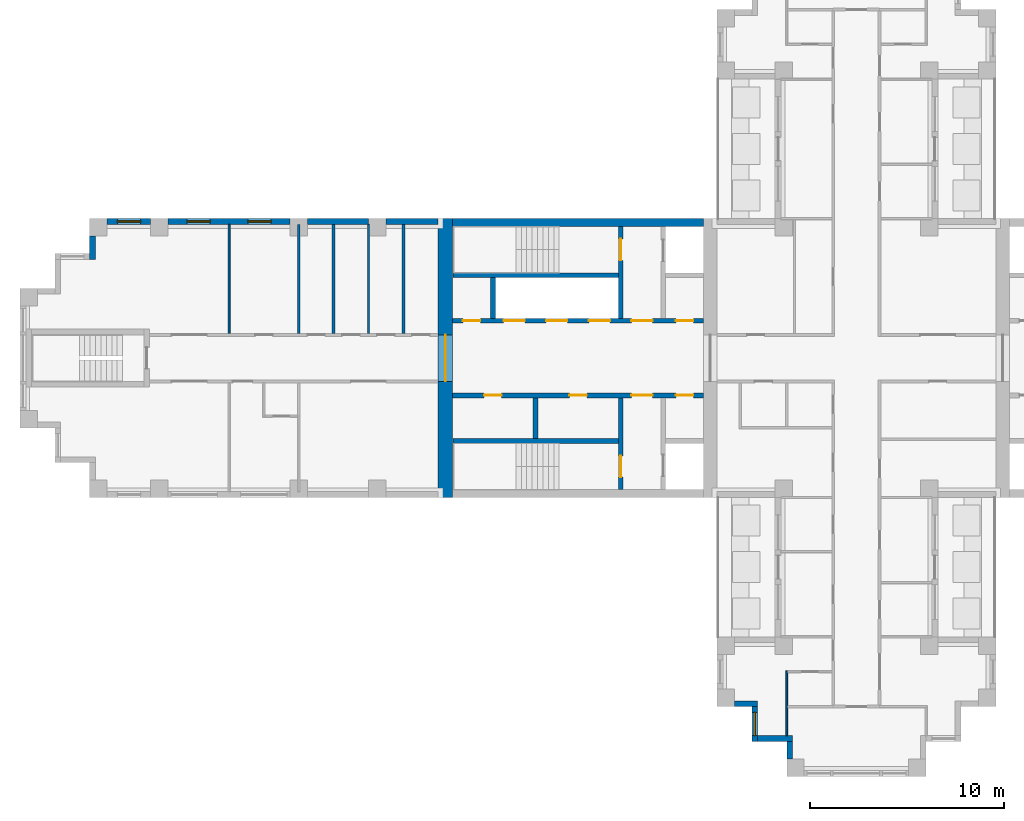
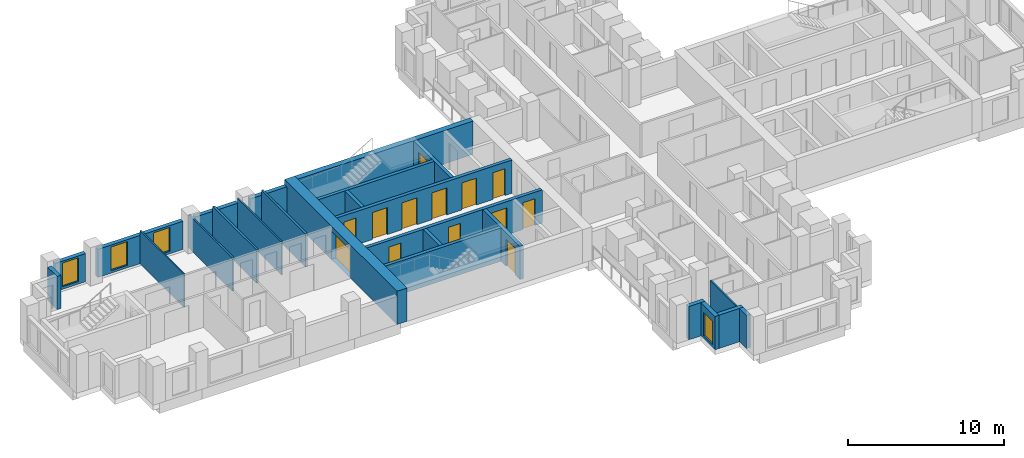
# One storey, part 3 of 11: 25 walls, 13 doors, 4 windows, 17 openings.
"""IFC4 building model written with IfcOpenShell, lengths in metres."""

from ifc_helpers import new_model, si_unit, direction, frame, frame_2d, origin, place, context, subcontext, project, spatial, rectangle, extrude, material, layer, layer_set, type_object, element, fill, save


model = new_model("IFC4")

# Units and contexts
model_context = context("Model", 3, precision=1e-05, world=origin(), true_north=direction((0.0, 1.0)))
body_context = subcontext(model_context, "Body", "Model", "MODEL_VIEW")
ifc_project = project(units=[si_unit("LENGTHUNIT", "METRE"), si_unit("AREAUNIT", "SQUARE_METRE"), si_unit("VOLUMEUNIT", "CUBIC_METRE"), si_unit("PLANEANGLEUNIT", "RADIAN"), si_unit("MASSUNIT", "GRAM", prefix="KILO")], contexts=[model_context])

# Site, building, storey
site_placement = place(None, origin())
site = spatial("IfcSite", under=ifc_project, at=site_placement, CompositionType="ELEMENT")
building_placement = place(site_placement, origin())
building = spatial("IfcBuilding", under=site, at=building_placement, Name="Fustian Cross Tower", CompositionType="ELEMENT")
storey_placement = place(building_placement, frame((0.0, 0.0, 176.699951171875)))
storey = spatial("IfcBuildingStorey", under=building, at=storey_placement, Name="L55", CompositionType="ELEMENT", Elevation=176.699951171875)

# Walls
ifc_material_1 = material(Name="Plasterboard on steel stud", Category="steel")
ifc_layer_1 = layer(ifc_material_1, 0.14990234375)
ifc_layer_set_1 = layer_set([ifc_layer_1], Name="Plasterboard on steel stud")
wall_type_1 = type_object("IfcWallType", Name="COMPARTMENT WALL 150 EI 60", PredefinedType="PARTITIONING", material=ifc_layer_set_1)
for number, where, z_axis, x_axis, name in (
    (1, (-27.0, 1.27490234375, 0.0), (0.0, 0.0, 1.0), (0.0, 1.0, 0.0), "Partition 10"),
    (2, (-23.39990234375, 1.27490234375, 0.0), (0.0, 0.0, 1.0), (0.0, 1.0, 0.0), "Partition 12"),
):
    element("IfcWall", number, at=place(storey_placement, frame(where, z_axis=z_axis, x_axis=x_axis)), inside=storey, type_object=wall_type_1, Name=name, PredefinedType="PARTITIONING", context=body_context, shape_type="SweptSolid", body=[
        extrude(rectangle(XDim=5.625, YDim=0.14990234375, at=frame_2d((2.8125, 0.0))), origin(), (0.0, 0.0, 1.0), 2.60009765625),
    ])

# Wall, opening, door
ifc_material_2 = material(Name="Concrete C50/60", Category="concrete")
ifc_layer_2 = layer(ifc_material_2, 0.75)
ifc_layer_set_2 = layer_set([ifc_layer_2], Name="Concrete C50/60")
wall_type_2 = type_object("IfcWallType", Name="CORE END WALL 750 C50/60", PredefinedType="SHEAR", material=ifc_layer_set_2)
wall_1_placement = place(storey_placement, frame((-21.22509765625, -7.199951171875, 0.0), z_axis=(0.0, 0.0, 1.0), x_axis=(0.0, 1.0, 0.0)))
wall_1 = element("IfcWall", 3, at=wall_1_placement, inside=storey, type_object=wall_type_2, Name="Core end wall", PredefinedType="SHEAR", context=body_context, shape_type="SweptSolid", body=[
    extrude(rectangle(XDim=14.39990234375, YDim=0.75, at=frame_2d((7.199951171875, 0.0))), origin(), (0.0, 0.0, 1.0), 2.60009765625),
])
opening_1_placement = place(wall_1_placement, frame((6.0, 0.0, 0.0)))
opening_1 = element("IfcOpeningElement", 4, at=opening_1_placement, cuts=wall_1, Name="Opening CD-22-29", PredefinedType="OPENING", context=body_context, shape_type="SweptSolid", body=[
    extrude(rectangle(XDim=2.39990234375, YDim=2.199951171875, at=frame_2d((1.199951171875, 1.10009765625))), frame((0.0, 0.385009765625, 0.0), z_axis=(0.0, -1.0, 0.0), x_axis=(1.0, 0.0, 0.0)), (0.0, 0.0, 1.0), 0.77001953125),
])
ifc_material_3 = material(Name="Steel", Category="steel")
door_type_1 = type_object("IfcDoorType", Name="FIRE DOOR FD30S DOUBLE 2400X2200", OperationType="DOUBLE_DOOR_DOUBLE_SWING", PredefinedType="DOOR", material=ifc_material_3)
door_1_placement = place(opening_1_placement, frame((2.39990234375, 0.0, 0.0), z_axis=(0.0, 0.0, 1.0), x_axis=(-1.0, 0.0, 0.0)))
door_1 = element("IfcDoor", 5, at=door_1_placement, inside=storey, type_object=door_type_1, Name="Core door CD-22-29", OperationType="DOUBLE_DOOR_DOUBLE_SWING", OverallHeight=2.199951171875, OverallWidth=2.39990234375, PredefinedType="DOOR", context=body_context, shape_type="SweptSolid", body=[
    extrude(rectangle(XDim=2.39990234375, YDim=2.199951171875, at=frame_2d((1.199951171875, 1.10009765625))), frame((0.0, 0.02490234375, 0.0), z_axis=(0.0, -1.0, 0.0), x_axis=(1.0, 0.0, 0.0)), (0.0, 0.0, 1.0), 0.050048828125),
])
fill(opening_1, door_1)

# Wall
ifc_material_4 = material(Name="Concrete C50/60", Category="concrete")
ifc_layer_3 = layer(ifc_material_4, 0.39990234375)
ifc_layer_set_3 = layer_set([ifc_layer_3], Name="Concrete C50/60")
wall_type_3 = type_object("IfcWallType", Name="CORE FACADE WALL 400 C50/60", PredefinedType="SHEAR", material=ifc_layer_set_3)
wall_2_placement = place(storey_placement, frame((-7.89990234375, 7.0, 0.0), z_axis=(0.0, 0.0, 1.0), x_axis=(-1.0, 0.0, 0.0)))
element("IfcWall", 6, at=wall_2_placement, inside=storey, type_object=wall_type_3, Name="Core facade wall", PredefinedType="SHEAR", context=body_context, shape_type="SweptSolid", body=[
    extrude(rectangle(XDim=12.9501953125, YDim=0.39990234375, at=frame_2d((6.47509765625, 0.0))), origin(), (0.0, 0.0, 1.0), 2.60009765625),
])

# Wall, openings, doors
ifc_material_5 = material(Name="Concrete C50/60", Category="concrete")
ifc_layer_4 = layer(ifc_material_5, 0.25)
ifc_layer_set_4 = layer_set([ifc_layer_4], Name="Concrete C50/60")
wall_type_4 = type_object("IfcWallType", Name="CORE LOBBY WALL 250 C50/60", PredefinedType="SHEAR", material=ifc_layer_set_4)
wall_3_placement = place(storey_placement, frame((-7.89990234375, 1.925048828125, 0.0), z_axis=(0.0, 0.0, 1.0), x_axis=(-1.0, 0.0, 0.0)))
wall_3 = element("IfcWall", 7, at=wall_3_placement, inside=storey, type_object=wall_type_4, Name="Core lobby wall", PredefinedType="SHEAR", context=body_context, shape_type="SweptSolid", body=[
    extrude(rectangle(XDim=12.9501953125, YDim=0.25, at=frame_2d((6.47509765625, 0.0))), origin(), (0.0, 0.0, 1.0), 2.60009765625),
])
opening_2_placement = place(wall_3_placement, frame((4.824951171875, 0.0, 0.0)))
opening_2 = element("IfcOpeningElement", 8, at=opening_2_placement, cuts=wall_3, Name="Opening LD", PredefinedType="OPENING", context=body_context, shape_type="SweptSolid", body=[
    extrude(rectangle(XDim=1.10009765625, YDim=2.10009765625, at=frame_2d((0.550048828125, 1.050048828125))), frame((0.0, 0.135009765625, 0.0), z_axis=(0.0, -1.0, 0.0), x_axis=(1.0, 0.0, 0.0)), (0.0, 0.0, 1.0), 0.27001953125),
])
opening_3_placement = place(wall_3_placement, frame((7.02490234375, 0.0, 0.0)))
opening_3 = element("IfcOpeningElement", 9, at=opening_3_placement, cuts=wall_3, Name="Opening LD", PredefinedType="OPENING", context=body_context, shape_type="SweptSolid", body=[
    extrude(rectangle(XDim=1.10009765625, YDim=2.10009765625, at=frame_2d((0.550048828125, 1.050048828125))), frame((0.0, 0.135009765625, 0.0), z_axis=(0.0, -1.0, 0.0), x_axis=(1.0, 0.0, 0.0)), (0.0, 0.0, 1.0), 0.27001953125),
])
opening_4_placement = place(wall_3_placement, frame((9.22509765625, 0.0, 0.0)))
opening_4 = element("IfcOpeningElement", 10, at=opening_4_placement, cuts=wall_3, Name="Opening LD", PredefinedType="OPENING", context=body_context, shape_type="SweptSolid", body=[
    extrude(rectangle(XDim=1.10009765625, YDim=2.10009765625, at=frame_2d((0.550048828125, 1.050048828125))), frame((0.0, 0.135009765625, 0.0), z_axis=(0.0, -1.0, 0.0), x_axis=(1.0, 0.0, 0.0)), (0.0, 0.0, 1.0), 0.27001953125),
])
opening_5_placement = place(wall_3_placement, frame((0.52490234375, 0.0, 0.0)))
opening_5 = element("IfcOpeningElement", 11, at=opening_5_placement, cuts=wall_3, Name="Opening CD-22-24", PredefinedType="OPENING", context=body_context, shape_type="SweptSolid", body=[
    extrude(rectangle(XDim=0.89990234375, YDim=2.10009765625, at=frame_2d((0.449951171875, 1.050048828125))), frame((0.0, 0.135009765625, 0.0), z_axis=(0.0, -1.0, 0.0), x_axis=(1.0, 0.0, 0.0)), (0.0, 0.0, 1.0), 0.27001953125),
])
opening_6_placement = place(wall_3_placement, frame((2.625, 0.0, 0.0)))
opening_6 = element("IfcOpeningElement", 12, at=opening_6_placement, cuts=wall_3, Name="Opening CD-22-26", PredefinedType="OPENING", context=body_context, shape_type="SweptSolid", body=[
    extrude(rectangle(XDim=1.10009765625, YDim=2.10009765625, at=frame_2d((0.550048828125, 1.050048828125))), frame((0.0, 0.135009765625, 0.0), z_axis=(0.0, -1.0, 0.0), x_axis=(1.0, 0.0, 0.0)), (0.0, 0.0, 1.0), 0.27001953125),
])
opening_7_placement = place(wall_3_placement, frame((11.52490234375, 0.0, 0.0)))
opening_7 = element("IfcOpeningElement", 13, at=opening_7_placement, cuts=wall_3, Name="Opening CD-22-30", PredefinedType="OPENING", context=body_context, shape_type="SweptSolid", body=[
    extrude(rectangle(XDim=0.89990234375, YDim=2.10009765625, at=frame_2d((0.449951171875, 1.050048828125))), frame((0.0, 0.135009765625, 0.0), z_axis=(0.0, -1.0, 0.0), x_axis=(1.0, 0.0, 0.0)), (0.0, 0.0, 1.0), 0.27001953125),
])
ifc_material_6 = material(Name="Steel", Category="steel")
door_type_2 = type_object("IfcDoorType", Name="FIRE DOOR FD30S 900X2100", OperationType="SINGLE_SWING_LEFT", PredefinedType="DOOR", material=ifc_material_6)
door_2_placement = place(opening_7_placement, frame((0.89990234375, 0.0, 0.0), z_axis=(0.0, 0.0, 1.0), x_axis=(-1.0, 0.0, 0.0)))
door_2 = element("IfcDoor", 14, at=door_2_placement, inside=storey, type_object=door_type_2, Name="Core door CD-22-30", OperationType="SINGLE_SWING_RIGHT", OverallHeight=2.10009765625, OverallWidth=0.89990234375, PredefinedType="DOOR", context=body_context, shape_type="SweptSolid", body=[
    extrude(rectangle(XDim=0.89990234375, YDim=2.10009765625, at=frame_2d((0.449951171875, 1.050048828125))), frame((0.0, 0.02490234375, 0.0), z_axis=(0.0, -1.0, 0.0), x_axis=(1.0, 0.0, 0.0)), (0.0, 0.0, 1.0), 0.050048828125),
])
fill(opening_7, door_2)
ifc_material_7 = material(Name="Steel", Category="steel")
door_type_3 = type_object("IfcDoorType", Name="FIRE DOOR FD60S 1100X2100", OperationType="SINGLE_SWING_LEFT", PredefinedType="DOOR", material=ifc_material_7)
door_3_placement = place(opening_6_placement, frame((1.10009765625, 0.0, 0.0), z_axis=(0.0, 0.0, 1.0), x_axis=(-1.0, 0.0, 0.0)))
door_3 = element("IfcDoor", 15, at=door_3_placement, inside=storey, type_object=door_type_3, Name="Core door CD-22-26", OperationType="SINGLE_SWING_RIGHT", OverallHeight=2.10009765625, OverallWidth=1.10009765625, PredefinedType="DOOR", context=body_context, shape_type="SweptSolid", body=[
    extrude(rectangle(XDim=1.10009765625, YDim=2.10009765625, at=frame_2d((0.550048828125, 1.050048828125))), frame((0.0, 0.02490234375, 0.0), z_axis=(0.0, -1.0, 0.0), x_axis=(1.0, 0.0, 0.0)), (0.0, 0.0, 1.0), 0.050048828125),
])
fill(opening_6, door_3)
ifc_material_8 = material(Name="Steel", Category="steel")
door_type_4 = type_object("IfcDoorType", Name="FIRE DOOR FD60S 900X2100", OperationType="SINGLE_SWING_LEFT", PredefinedType="DOOR", material=ifc_material_8)
door_4_placement = place(opening_5_placement, frame((0.89990234375, 0.0, 0.0), z_axis=(0.0, 0.0, 1.0), x_axis=(-1.0, 0.0, 0.0)))
door_4 = element("IfcDoor", 16, at=door_4_placement, inside=storey, type_object=door_type_4, Name="Core door CD-22-24", OperationType="SINGLE_SWING_RIGHT", OverallHeight=2.10009765625, OverallWidth=0.89990234375, PredefinedType="DOOR", context=body_context, shape_type="SweptSolid", body=[
    extrude(rectangle(XDim=0.89990234375, YDim=2.10009765625, at=frame_2d((0.449951171875, 1.050048828125))), frame((0.0, 0.02490234375, 0.0), z_axis=(0.0, -1.0, 0.0), x_axis=(1.0, 0.0, 0.0)), (0.0, 0.0, 1.0), 0.050048828125),
])
fill(opening_5, door_4)
ifc_material_9 = material(Name="Stainless steel", Category="steel")
door_type_5 = type_object("IfcDoorType", Name="LIFT LANDING DOOR 1100X2100", OperationType="SLIDING_TO_LEFT", PredefinedType="DOOR", material=ifc_material_9)
door_5_placement = place(opening_2_placement, origin())
door_5 = element("IfcDoor", 17, at=door_5_placement, inside=storey, type_object=door_type_5, Name="Landing door HR1W", OperationType="SLIDING_TO_LEFT", OverallHeight=2.10009765625, OverallWidth=1.10009765625, PredefinedType="DOOR", context=body_context, shape_type="SweptSolid", body=[
    extrude(rectangle(XDim=1.10009765625, YDim=2.10009765625, at=frame_2d((0.550048828125, 1.050048828125))), frame((0.0, 0.02490234375, 0.0), z_axis=(0.0, -1.0, 0.0), x_axis=(1.0, 0.0, 0.0)), (0.0, 0.0, 1.0), 0.050048828125),
])
fill(opening_2, door_5)
door_6_placement = place(opening_3_placement, origin())
door_6 = element("IfcDoor", 18, at=door_6_placement, inside=storey, type_object=door_type_5, Name="Landing door HR2W", OperationType="SLIDING_TO_LEFT", OverallHeight=2.10009765625, OverallWidth=1.10009765625, PredefinedType="DOOR", context=body_context, shape_type="SweptSolid", body=[
    extrude(rectangle(XDim=1.10009765625, YDim=2.10009765625, at=frame_2d((0.550048828125, 1.050048828125))), frame((0.0, 0.02490234375, 0.0), z_axis=(0.0, -1.0, 0.0), x_axis=(1.0, 0.0, 0.0)), (0.0, 0.0, 1.0), 0.050048828125),
])
fill(opening_3, door_6)
door_7_placement = place(opening_4_placement, origin())
door_7 = element("IfcDoor", 19, at=door_7_placement, inside=storey, type_object=door_type_5, Name="Landing door HR3W", OperationType="SLIDING_TO_LEFT", OverallHeight=2.10009765625, OverallWidth=1.10009765625, PredefinedType="DOOR", context=body_context, shape_type="SweptSolid", body=[
    extrude(rectangle(XDim=1.10009765625, YDim=2.10009765625, at=frame_2d((0.550048828125, 1.050048828125))), frame((0.0, 0.02490234375, 0.0), z_axis=(0.0, -1.0, 0.0), x_axis=(1.0, 0.0, 0.0)), (0.0, 0.0, 1.0), 0.050048828125),
])
fill(opening_4, door_7)

wall_4_placement = place(storey_placement, frame((-7.89990234375, -1.925048828125, 0.0), z_axis=(0.0, 0.0, 1.0), x_axis=(-1.0, 0.0, 0.0)))
wall_4 = element("IfcWall", 20, at=wall_4_placement, inside=storey, type_object=wall_type_4, Name="Core lobby wall", PredefinedType="SHEAR", context=body_context, shape_type="SweptSolid", body=[
    extrude(rectangle(XDim=12.9501953125, YDim=0.25, at=frame_2d((6.47509765625, 0.0))), origin(), (0.0, 0.0, 1.0), 2.60009765625),
])
opening_8_placement = place(wall_4_placement, frame((0.52490234375, 0.0, 0.0)))
opening_8 = element("IfcOpeningElement", 21, at=opening_8_placement, cuts=wall_4, Name="Opening CD-22-25", PredefinedType="OPENING", context=body_context, shape_type="SweptSolid", body=[
    extrude(rectangle(XDim=0.89990234375, YDim=2.10009765625, at=frame_2d((0.449951171875, 1.050048828125))), frame((0.0, 0.135009765625, 0.0), z_axis=(0.0, -1.0, 0.0), x_axis=(1.0, 0.0, 0.0)), (0.0, 0.0, 1.0), 0.27001953125),
])
opening_9_placement = place(wall_4_placement, frame((2.625, 0.0, 0.0)))
opening_9 = element("IfcOpeningElement", 22, at=opening_9_placement, cuts=wall_4, Name="Opening CD-22-27", PredefinedType="OPENING", context=body_context, shape_type="SweptSolid", body=[
    extrude(rectangle(XDim=1.10009765625, YDim=2.10009765625, at=frame_2d((0.550048828125, 1.050048828125))), frame((0.0, 0.135009765625, 0.0), z_axis=(0.0, -1.0, 0.0), x_axis=(1.0, 0.0, 0.0)), (0.0, 0.0, 1.0), 0.27001953125),
])
opening_10_placement = place(wall_4_placement, frame((6.02490234375, 0.0, 0.0)))
opening_10 = element("IfcOpeningElement", 23, at=opening_10_placement, cuts=wall_4, Name="Opening CD-22-31", PredefinedType="OPENING", context=body_context, shape_type="SweptSolid", body=[
    extrude(rectangle(XDim=0.89990234375, YDim=2.10009765625, at=frame_2d((0.449951171875, 1.050048828125))), frame((0.0, 0.135009765625, 0.0), z_axis=(0.0, -1.0, 0.0), x_axis=(1.0, 0.0, 0.0)), (0.0, 0.0, 1.0), 0.27001953125),
])
opening_11_placement = place(wall_4_placement, frame((10.425048828125, 0.0, 0.0)))
opening_11 = element("IfcOpeningElement", 24, at=opening_11_placement, cuts=wall_4, Name="Opening CD-22-32", PredefinedType="OPENING", context=body_context, shape_type="SweptSolid", body=[
    extrude(rectangle(XDim=0.89990234375, YDim=2.10009765625, at=frame_2d((0.449951171875, 1.050048828125))), frame((0.0, 0.135009765625, 0.0), z_axis=(0.0, -1.0, 0.0), x_axis=(1.0, 0.0, 0.0)), (0.0, 0.0, 1.0), 0.27001953125),
])
ifc_material_10 = material(Name="Steel", Category="steel")
door_type_6 = type_object("IfcDoorType", Name="FIRE DOOR FD30S 1100X2100", OperationType="SINGLE_SWING_LEFT", PredefinedType="DOOR", material=ifc_material_10)
door_8_placement = place(opening_9_placement, frame((1.10009765625, 0.0, 0.0), z_axis=(0.0, 0.0, 1.0), x_axis=(-1.0, 0.0, 0.0)))
door_8 = element("IfcDoor", 25, at=door_8_placement, inside=storey, type_object=door_type_6, Name="Core door CD-22-27", OperationType="SINGLE_SWING_RIGHT", OverallHeight=2.10009765625, OverallWidth=1.10009765625, PredefinedType="DOOR", context=body_context, shape_type="SweptSolid", body=[
    extrude(rectangle(XDim=1.10009765625, YDim=2.10009765625, at=frame_2d((0.550048828125, 1.050048828125))), frame((0.0, 0.02490234375, 0.0), z_axis=(0.0, -1.0, 0.0), x_axis=(1.0, 0.0, 0.0)), (0.0, 0.0, 1.0), 0.050048828125),
])
fill(opening_9, door_8)
door_9_placement = place(opening_8_placement, origin())
door_9 = element("IfcDoor", 26, at=door_9_placement, inside=storey, type_object=door_type_2, Name="Core door CD-22-25", OperationType="SINGLE_SWING_LEFT", OverallHeight=2.10009765625, OverallWidth=0.89990234375, PredefinedType="DOOR", context=body_context, shape_type="SweptSolid", body=[
    extrude(rectangle(XDim=0.89990234375, YDim=2.10009765625, at=frame_2d((0.449951171875, 1.050048828125))), frame((0.0, 0.02490234375, 0.0), z_axis=(0.0, -1.0, 0.0), x_axis=(1.0, 0.0, 0.0)), (0.0, 0.0, 1.0), 0.050048828125),
])
fill(opening_8, door_9)
door_10_placement = place(opening_10_placement, origin())
door_10 = element("IfcDoor", 27, at=door_10_placement, inside=storey, type_object=door_type_2, Name="Core door CD-22-31", OperationType="SINGLE_SWING_RIGHT", OverallHeight=2.10009765625, OverallWidth=0.89990234375, PredefinedType="DOOR", context=body_context, shape_type="SweptSolid", body=[
    extrude(rectangle(XDim=0.89990234375, YDim=2.10009765625, at=frame_2d((0.449951171875, 1.050048828125))), frame((0.0, 0.02490234375, 0.0), z_axis=(0.0, -1.0, 0.0), x_axis=(1.0, 0.0, 0.0)), (0.0, 0.0, 1.0), 0.050048828125),
])
fill(opening_10, door_10)
door_11_placement = place(opening_11_placement, origin())
door_11 = element("IfcDoor", 28, at=door_11_placement, inside=storey, type_object=door_type_2, Name="Core door CD-22-32", OperationType="SINGLE_SWING_RIGHT", OverallHeight=2.10009765625, OverallWidth=0.89990234375, PredefinedType="DOOR", context=body_context, shape_type="SweptSolid", body=[
    extrude(rectangle(XDim=0.89990234375, YDim=2.10009765625, at=frame_2d((0.449951171875, 1.050048828125))), frame((0.0, 0.02490234375, 0.0), z_axis=(0.0, -1.0, 0.0), x_axis=(1.0, 0.0, 0.0)), (0.0, 0.0, 1.0), 0.050048828125),
])
fill(opening_11, door_11)

# Wall
ifc_material_11 = material(Name="Concrete C50/60", Category="concrete")
ifc_layer_5 = layer(ifc_material_11, 0.25)
ifc_layer_set_5 = layer_set([ifc_layer_5], Name="Concrete C50/60")
wall_type_5 = type_object("IfcWallType", Name="CORE SHAFT WALL 250 C50/60", PredefinedType="SHEAR", material=ifc_layer_set_5)
wall_5_placement = place(storey_placement, frame((-12.300048828125, 4.27490234375, 0.0), z_axis=(0.0, 0.0, 1.0), x_axis=(-1.0, 0.0, 0.0)))
element("IfcWall", 29, at=wall_5_placement, inside=storey, type_object=wall_type_5, Name="Core shaft wall", PredefinedType="SHEAR", context=body_context, shape_type="SweptSolid", body=[
    extrude(rectangle(XDim=8.550048828125, YDim=0.25, at=frame_2d((4.27490234375, 0.0))), origin(), (0.0, 0.0, 1.0), 2.60009765625),
])

# Wall, opening, door
wall_6_placement = place(storey_placement, frame((-12.175048828125, 2.050048828125, 0.0), z_axis=(0.0, 0.0, 1.0), x_axis=(0.0, 1.0, 0.0)))
wall_6 = element("IfcWall", 30, at=wall_6_placement, inside=storey, type_object=wall_type_5, Name="Core shaft wall", PredefinedType="SHEAR", context=body_context, shape_type="SweptSolid", body=[
    extrude(rectangle(XDim=4.75, YDim=0.25, at=frame_2d((2.375, 0.0))), origin(), (0.0, 0.0, 1.0), 2.60009765625),
])
opening_12_placement = place(wall_6_placement, frame((3.0, 0.0, 0.0)))
opening_12 = element("IfcOpeningElement", 31, at=opening_12_placement, cuts=wall_6, Name="Opening CD-22-22", PredefinedType="OPENING", context=body_context, shape_type="SweptSolid", body=[
    extrude(rectangle(XDim=1.10009765625, YDim=2.10009765625, at=frame_2d((0.550048828125, 1.050048828125))), frame((0.0, 0.135009765625, 0.0), z_axis=(0.0, -1.0, 0.0), x_axis=(1.0, 0.0, 0.0)), (0.0, 0.0, 1.0), 0.27001953125),
])
door_12_placement = place(opening_12_placement, origin())
door_12 = element("IfcDoor", 32, at=door_12_placement, inside=storey, type_object=door_type_3, Name="Core door CD-22-22", OperationType="SINGLE_SWING_LEFT", OverallHeight=2.10009765625, OverallWidth=1.10009765625, PredefinedType="DOOR", context=body_context, shape_type="SweptSolid", body=[
    extrude(rectangle(XDim=1.10009765625, YDim=2.10009765625, at=frame_2d((0.550048828125, 1.050048828125))), frame((0.0, 0.02490234375, 0.0), z_axis=(0.0, -1.0, 0.0), x_axis=(1.0, 0.0, 0.0)), (0.0, 0.0, 1.0), 0.050048828125),
])
fill(opening_12, door_12)

# Wall
wall_7_placement = place(storey_placement, frame((-12.300048828125, -4.27490234375, 0.0), z_axis=(0.0, 0.0, 1.0), x_axis=(-1.0, 0.0, 0.0)))
element("IfcWall", 33, at=wall_7_placement, inside=storey, type_object=wall_type_5, Name="Core shaft wall", PredefinedType="SHEAR", context=body_context, shape_type="SweptSolid", body=[
    extrude(rectangle(XDim=8.550048828125, YDim=0.25, at=frame_2d((4.27490234375, 0.0))), origin(), (0.0, 0.0, 1.0), 2.60009765625),
])

# Wall, opening, door
wall_8_placement = place(storey_placement, frame((-12.175048828125, -2.050048828125, 0.0), z_axis=(0.0, 0.0, 1.0), x_axis=(0.0, -1.0, 0.0)))
wall_8 = element("IfcWall", 34, at=wall_8_placement, inside=storey, type_object=wall_type_5, Name="Core shaft wall", PredefinedType="SHEAR", context=body_context, shape_type="SweptSolid", body=[
    extrude(rectangle(XDim=4.75, YDim=0.25, at=frame_2d((2.375, 0.0))), origin(), (0.0, 0.0, 1.0), 2.60009765625),
])
opening_13_placement = place(wall_8_placement, frame((3.0, 0.0, 0.0)))
opening_13 = element("IfcOpeningElement", 35, at=opening_13_placement, cuts=wall_8, Name="Opening CD-22-23", PredefinedType="OPENING", context=body_context, shape_type="SweptSolid", body=[
    extrude(rectangle(XDim=1.10009765625, YDim=2.10009765625, at=frame_2d((0.550048828125, 1.050048828125))), frame((0.0, 0.135009765625, 0.0), z_axis=(0.0, -1.0, 0.0), x_axis=(1.0, 0.0, 0.0)), (0.0, 0.0, 1.0), 0.27001953125),
])
door_13_placement = place(opening_13_placement, frame((1.10009765625, 0.0, 0.0), z_axis=(0.0, 0.0, 1.0), x_axis=(-1.0, 0.0, 0.0)))
door_13 = element("IfcDoor", 36, at=door_13_placement, inside=storey, type_object=door_type_3, Name="Core door CD-22-23", OperationType="SINGLE_SWING_RIGHT", OverallHeight=2.10009765625, OverallWidth=1.10009765625, PredefinedType="DOOR", context=body_context, shape_type="SweptSolid", body=[
    extrude(rectangle(XDim=1.10009765625, YDim=2.10009765625, at=frame_2d((0.550048828125, 1.050048828125))), frame((0.0, 0.02490234375, 0.0), z_axis=(0.0, -1.0, 0.0), x_axis=(1.0, 0.0, 0.0)), (0.0, 0.0, 1.0), 0.050048828125),
])
fill(opening_13, door_13)

# Walls
ifc_material_12 = material(Name="Plasterboard on steel stud", Category="steel")
ifc_layer_6 = layer(ifc_material_12, 0.10009765625)
ifc_layer_set_6 = layer_set([ifc_layer_6], Name="Plasterboard on steel stud")
wall_type_6 = type_object("IfcWallType", Name="PARTITION 100 STUD", PredefinedType="PARTITIONING", material=ifc_layer_set_6)
for number, where, z_axis, x_axis, name in (
    (37, (-32.39990234375, 1.27490234375, 0.0), (0.0, 0.0, 1.0), (0.0, 1.0, 0.0), "Partition 4"),
    (38, (-25.199951171875, 1.27490234375, 0.0), (0.0, 0.0, 1.0), (0.0, 1.0, 0.0), "Partition 11"),
):
    element("IfcWall", number, at=place(storey_placement, frame(where, z_axis=z_axis, x_axis=x_axis)), inside=storey, type_object=wall_type_6, Name=name, PredefinedType="PARTITIONING", context=body_context, shape_type="SweptSolid", body=[
        extrude(rectangle(XDim=5.625, YDim=0.10009765625, at=frame_2d((2.8125, 0.0))), origin(), (0.0, 0.0, 1.0), 2.60009765625),
    ])
wall_9_placement = place(storey_placement, frame((-3.60009765625, -19.5, 0.0), z_axis=(0.0, 0.0, 1.0), x_axis=(0.0, 1.0, 0.0)))
element("IfcWall", 39, at=wall_9_placement, inside=storey, type_object=wall_type_6, Name="Partition 22", PredefinedType="PARTITIONING", context=body_context, shape_type="SweptSolid", body=[
    extrude(rectangle(XDim=3.35009765625, YDim=0.10009765625, at=frame_2d((1.675048828125, 0.0))), origin(), (0.0, 0.0, 1.0), 2.60009765625),
])
ifc_material_13 = material(Name="Concrete C40/50", Category="concrete")
ifc_layer_7 = layer(ifc_material_13, 0.25)
ifc_layer_set_7 = layer_set([ifc_layer_7], Name="Concrete C40/50")
wall_type_7 = type_object("IfcWallType", Name="SHAFT PARTITION WALL 250 C40/50", PredefinedType="PARTITIONING", material=ifc_layer_set_7)
for number, where, z_axis, x_axis, name in (
    (40, (-18.77490234375, 2.050048828125, 0.0), (0.0, 0.0, 1.0), (0.0, 1.0, 0.0), "Core shaft wall"),
    (41, (-16.574951171875, -2.050048828125, 0.0), (0.0, 0.0, 1.0), (0.0, -1.0, 0.0), "Core shaft wall"),
):
    element("IfcWall", number, at=place(storey_placement, frame(where, z_axis=z_axis, x_axis=x_axis)), inside=storey, type_object=wall_type_7, Name=name, PredefinedType="PARTITIONING", context=body_context, shape_type="SweptSolid", body=[
        extrude(rectangle(XDim=2.099853515625, YDim=0.25, at=frame_2d((1.0498046875, 0.0))), origin(), (0.0, 0.0, 1.0), 2.60009765625),
    ])
ifc_material_14 = material(Name="Plasterboard on steel stud", Category="steel")
ifc_layer_8 = layer(ifc_material_14, 0.125)
ifc_layer_set_8 = layer_set([ifc_layer_8], Name="Plasterboard on steel stud")
wall_type_8 = type_object("IfcWallType", Name="WET WALL 125 STUD", PredefinedType="PARTITIONING", material=ifc_layer_set_8)
wall_10_placement = place(storey_placement, frame((-28.800048828125, 1.27490234375, 0.0), z_axis=(0.0, 0.0, 1.0), x_axis=(0.0, 1.0, 0.0)))
element("IfcWall", 42, at=wall_10_placement, inside=storey, type_object=wall_type_8, Name="Partition 9", PredefinedType="PARTITIONING", context=body_context, shape_type="SweptSolid", body=[
    extrude(rectangle(XDim=5.625, YDim=0.125, at=frame_2d((2.8125, 0.0))), origin(), (0.0, 0.0, 1.0), 2.60009765625),
])
ifc_material_15 = material(Name="Dark aluminium cladding on insulated backing wall", Category="aluminium")
ifc_layer_9 = layer(ifc_material_15, 0.300048828125)
ifc_layer_set_9 = layer_set([ifc_layer_9], Name="Dark aluminium cladding on insulated backing wall")
wall_type_9 = type_object("IfcWallType", Name="XW1 EXTERNAL WALL 300", PredefinedType="SOLIDWALL", material=ifc_layer_set_9)
wall_11_placement = place(storey_placement, frame((-21.60009765625, 7.050048828125, 0.0), z_axis=(0.0, 0.0, 1.0), x_axis=(-1.0, 0.0, 0.0)))
element("IfcWall", 43, at=wall_11_placement, inside=storey, type_object=wall_type_9, Name="External wall", PredefinedType="SOLIDWALL", context=body_context, shape_type="SweptSolid", body=[
    extrude(rectangle(XDim=2.699951171875, YDim=0.300048828125, at=frame_2d((1.35009765625, 0.0))), origin(), (0.0, 0.0, 1.0), 2.199951171875),
])
wall_12_placement = place(storey_placement, frame((-25.199951171875, 7.050048828125, 0.0), z_axis=(0.0, 0.0, 1.0), x_axis=(-1.0, 0.0, 0.0)))
element("IfcWall", 44, at=wall_12_placement, inside=storey, type_object=wall_type_9, Name="External wall", PredefinedType="SOLIDWALL", context=body_context, shape_type="SweptSolid", body=[
    extrude(rectangle(XDim=3.150146484375, YDim=0.300048828125, at=frame_2d((1.5751953125, 0.0))), origin(), (0.0, 0.0, 1.0), 2.199951171875),
])

# Wall, openings, windows
wall_13_placement = place(storey_placement, frame((-29.25, 7.050048828125, 0.0), z_axis=(0.0, 0.0, 1.0), x_axis=(-1.0, 0.0, 0.0)))
wall_13 = element("IfcWall", 45, at=wall_13_placement, inside=storey, type_object=wall_type_9, Name="External wall", PredefinedType="SOLIDWALL", context=body_context, shape_type="SweptSolid", body=[
    extrude(rectangle(XDim=6.300048828125, YDim=0.300048828125, at=frame_2d((3.14990234375, 0.0))), origin(), (0.0, 0.0, 1.0), 2.199951171875),
])
opening_14_placement = place(wall_13_placement, frame((0.97509765625, 0.0, 0.199951171875)))
opening_14 = element("IfcOpeningElement", 46, at=opening_14_placement, cuts=wall_13, Name="Opening WN3", PredefinedType="OPENING", context=body_context, shape_type="SweptSolid", body=[
    extrude(rectangle(XDim=1.199951171875, YDim=1.85009765625, at=frame_2d((0.60009765625, 0.925048828125))), frame((0.0, 0.159912109375, 0.0), z_axis=(0.0, -1.0, 0.0), x_axis=(1.0, 0.0, 0.0)), (0.0, 0.0, 1.0), 0.320068359375),
])
opening_15_placement = place(wall_13_placement, frame((4.125, 0.0, 0.199951171875)))
opening_15 = element("IfcOpeningElement", 47, at=opening_15_placement, cuts=wall_13, Name="Opening WN3", PredefinedType="OPENING", context=body_context, shape_type="SweptSolid", body=[
    extrude(rectangle(XDim=1.199951171875, YDim=1.85009765625, at=frame_2d((0.60009765625, 0.925048828125))), frame((0.0, 0.159912109375, 0.0), z_axis=(0.0, -1.0, 0.0), x_axis=(1.0, 0.0, 0.0)), (0.0, 0.0, 1.0), 0.320068359375),
])
ifc_material_16 = material(Name="Dark anodised aluminium and double glazing", Category="aluminium")
window_type = type_object("IfcWindowType", Name="WN3 WINDOW 1200X1850", PartitioningType="SINGLE_PANEL", PredefinedType="WINDOW", material=ifc_material_16)
window_1_placement = place(opening_14_placement, origin())
window_1 = element("IfcWindow", 48, at=window_1_placement, inside=storey, type_object=window_type, Name="Window", OverallHeight=1.85009765625, OverallWidth=1.199951171875, PartitioningType="SINGLE_PANEL", PredefinedType="WINDOW", context=body_context, shape_type="SweptSolid", body=[
    extrude(rectangle(XDim=1.199951171875, YDim=1.85009765625, at=frame_2d((0.60009765625, 0.925048828125))), frame((0.0, 0.030029296875, 0.0), z_axis=(0.0, -1.0, 0.0), x_axis=(1.0, 0.0, 0.0)), (0.0, 0.0, 1.0), 0.06005859375),
])
fill(opening_14, window_1)
window_2_placement = place(opening_15_placement, origin())
window_2 = element("IfcWindow", 49, at=window_2_placement, inside=storey, type_object=window_type, Name="Window", OverallHeight=1.85009765625, OverallWidth=1.199951171875, PartitioningType="SINGLE_PANEL", PredefinedType="WINDOW", context=body_context, shape_type="SweptSolid", body=[
    extrude(rectangle(XDim=1.199951171875, YDim=1.85009765625, at=frame_2d((0.60009765625, 0.925048828125))), frame((0.0, 0.030029296875, 0.0), z_axis=(0.0, -1.0, 0.0), x_axis=(1.0, 0.0, 0.0)), (0.0, 0.0, 1.0), 0.06005859375),
])
fill(opening_15, window_2)

# Wall, opening, window
wall_14_placement = place(storey_placement, frame((-36.449951171875, 7.050048828125, 0.0), z_axis=(0.0, 0.0, 1.0), x_axis=(-1.0, 0.0, 0.0)))
wall_14 = element("IfcWall", 50, at=wall_14_placement, inside=storey, type_object=wall_type_9, Name="External wall", PredefinedType="SOLIDWALL", context=body_context, shape_type="SweptSolid", body=[
    extrude(rectangle(XDim=2.25, YDim=0.300048828125, at=frame_2d((1.125, 0.0))), origin(), (0.0, 0.0, 1.0), 2.199951171875),
])
opening_16_placement = place(wall_14_placement, frame((0.52490234375, 0.0, 0.199951171875)))
opening_16 = element("IfcOpeningElement", 51, at=opening_16_placement, cuts=wall_14, Name="Opening WN3", PredefinedType="OPENING", context=body_context, shape_type="SweptSolid", body=[
    extrude(rectangle(XDim=1.199951171875, YDim=1.85009765625, at=frame_2d((0.60009765625, 0.925048828125))), frame((0.0, 0.159912109375, 0.0), z_axis=(0.0, -1.0, 0.0), x_axis=(1.0, 0.0, 0.0)), (0.0, 0.0, 1.0), 0.320068359375),
])
window_3_placement = place(opening_16_placement, origin())
window_3 = element("IfcWindow", 52, at=window_3_placement, inside=storey, type_object=window_type, Name="Window", OverallHeight=1.85009765625, OverallWidth=1.199951171875, PartitioningType="SINGLE_PANEL", PredefinedType="WINDOW", context=body_context, shape_type="SweptSolid", body=[
    extrude(rectangle(XDim=1.199951171875, YDim=1.85009765625, at=frame_2d((0.60009765625, 0.925048828125))), frame((0.0, 0.030029296875, 0.0), z_axis=(0.0, -1.0, 0.0), x_axis=(1.0, 0.0, 0.0)), (0.0, 0.0, 1.0), 0.06005859375),
])
fill(opening_16, window_3)

# Walls
for number, where, z_axis, x_axis, name in (
    (53, (-39.449951171875, 6.300048828125, 0.0), (0.0, 0.0, 1.0), (0.0, -1.0, 0.0), "External wall"),
    (54, (-6.300048828125, -17.85009765625, 0.0), (0.0, 0.0, 1.0), (1.0, 0.0, 0.0), "External wall"),
):
    element("IfcWall", number, at=place(storey_placement, frame(where, z_axis=z_axis, x_axis=x_axis)), inside=storey, type_object=wall_type_9, Name=name, PredefinedType="SOLIDWALL", context=body_context, shape_type="SweptSolid", body=[
        extrude(rectangle(XDim=1.199951171875, YDim=0.300048828125, at=frame_2d((0.60009765625, 0.0))), origin(), (0.0, 0.0, 1.0), 2.60009765625),
    ])

# Wall, opening, window
wall_15_placement = place(storey_placement, frame((-5.25, -18.0, 0.0), z_axis=(0.0, 0.0, 1.0), x_axis=(0.0, -1.0, 0.0)))
wall_15 = element("IfcWall", 55, at=wall_15_placement, inside=storey, type_object=wall_type_9, Name="External wall", PredefinedType="SOLIDWALL", context=body_context, shape_type="SweptSolid", body=[
    extrude(rectangle(XDim=1.800048828125, YDim=0.300048828125, at=frame_2d((0.89990234375, 0.0))), origin(), (0.0, 0.0, 1.0), 2.60009765625),
])
opening_17_placement = place(wall_15_placement, frame((0.300048828125, 0.0, 0.199951171875)))
opening_17 = element("IfcOpeningElement", 56, at=opening_17_placement, cuts=wall_15, Name="Opening WN3", PredefinedType="OPENING", context=body_context, shape_type="SweptSolid", body=[
    extrude(rectangle(XDim=1.199951171875, YDim=1.85009765625, at=frame_2d((0.60009765625, 0.925048828125))), frame((0.0, 0.159912109375, 0.0), z_axis=(0.0, -1.0, 0.0), x_axis=(1.0, 0.0, 0.0)), (0.0, 0.0, 1.0), 0.320068359375),
])
window_4_placement = place(opening_17_placement, origin())
window_4 = element("IfcWindow", 57, at=window_4_placement, inside=storey, type_object=window_type, Name="Window", OverallHeight=1.85009765625, OverallWidth=1.199951171875, PartitioningType="SINGLE_PANEL", PredefinedType="WINDOW", context=body_context, shape_type="SweptSolid", body=[
    extrude(rectangle(XDim=1.199951171875, YDim=1.85009765625, at=frame_2d((0.60009765625, 0.925048828125))), frame((0.0, 0.030029296875, 0.0), z_axis=(0.0, -1.0, 0.0), x_axis=(1.0, 0.0, 0.0)), (0.0, 0.0, 1.0), 0.06005859375),
])
fill(opening_17, window_4)

# Walls
wall_16_placement = place(storey_placement, frame((-5.10009765625, -19.64990234375, 0.0), z_axis=(0.0, 0.0, 1.0), x_axis=(1.0, 0.0, 0.0)))
element("IfcWall", 58, at=wall_16_placement, inside=storey, type_object=wall_type_9, Name="External wall", PredefinedType="SOLIDWALL", context=body_context, shape_type="SweptSolid", body=[
    extrude(rectangle(XDim=1.800048828125, YDim=0.300048828125, at=frame_2d((0.89990234375, 0.0))), origin(), (0.0, 0.0, 1.0), 2.60009765625),
])
wall_17_placement = place(storey_placement, frame((-3.449951171875, -19.800048828125, 0.0), z_axis=(0.0, 0.0, 1.0), x_axis=(0.0, -1.0, 0.0)))
element("IfcWall", 59, at=wall_17_placement, inside=storey, type_object=wall_type_9, Name="External wall", PredefinedType="SOLIDWALL", context=body_context, shape_type="SweptSolid", body=[
    extrude(rectangle(XDim=0.89990234375, YDim=0.300048828125, at=frame_2d((0.449951171875, 0.0))), origin(), (0.0, 0.0, 1.0), 2.60009765625),
])

save(model, "model.ifc")
